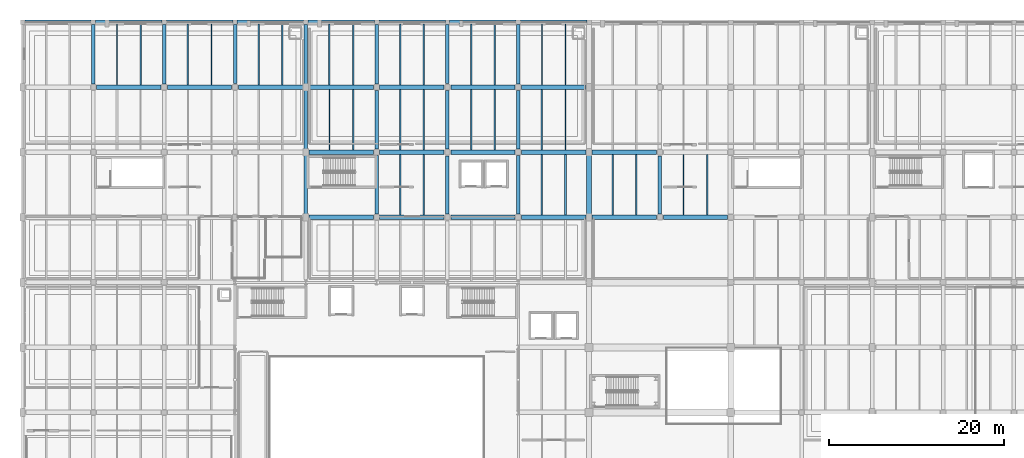
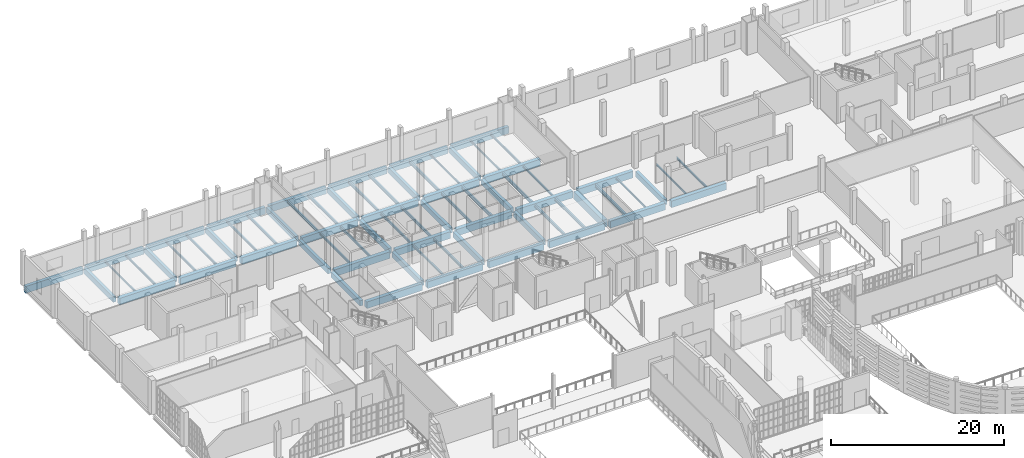
# One storey, part 46 of 104: 73 beams.
"""IFC4 building model written with IfcOpenShell, lengths in metres."""

from ifc_helpers import new_model, si_unit, direction, frame, origin, origin_2d, place, context, subcontext, project, spatial, rectangle, i_section, extrude, material, material_profile, profile_set, type_object, element, save


model = new_model("IFC4")

# Units and contexts
model_context = context("Model", 3, precision=1e-05, world=origin(), true_north=direction((0.0, 1.0)))
body_context = subcontext(model_context, "Body", "Model", "MODEL_VIEW")
ifc_project = project(units=[si_unit("LENGTHUNIT", "METRE"), si_unit("AREAUNIT", "SQUARE_METRE"), si_unit("VOLUMEUNIT", "CUBIC_METRE"), si_unit("PLANEANGLEUNIT", "RADIAN"), si_unit("MASSUNIT", "GRAM", prefix="KILO")], contexts=[model_context])

# Site, building, storey
site_placement = place(None, origin())
site = spatial("IfcSite", under=ifc_project, at=site_placement, CompositionType="ELEMENT")
building_placement = place(site_placement, origin())
building = spatial("IfcBuilding", under=site, at=building_placement, Name="Kaelora Sail Theatre", CompositionType="ELEMENT")
storey_placement = place(building_placement, frame((0.0, 0.0, 5.39990234375)))
storey = spatial("IfcBuildingStorey", under=building, at=storey_placement, Name="L01", CompositionType="ELEMENT", Elevation=5.39990234375)

# Beams
ifc_material_1 = material(Name="Steel S355", Category="steel")
ifc_material_profile_1 = material_profile(ifc_material_1, i_section(OverallWidth=0.18994140625, OverallDepth=0.449951171875, WebThickness=0.009521484375, FlangeThickness=0.0146484375, FilletRadius=0.02099609375, at=origin_2d()), Name="IPE 450")
ifc_profile_set_1 = profile_set([ifc_material_profile_1], Name="Steel S355")
beam_type_1 = type_object("IfcBeamType", Name="STR-BM-BM-IPE450", PredefinedType="BEAM", material=ifc_profile_set_1)
beam_1_placement = place(storey_placement, frame((47.39990234375, 105.909912109375, -0.52001953125), z_axis=(0.0, 1.0, 0.0), x_axis=(-1.0, 0.0, 0.0)))
element("IfcBeam", 1, at=beam_1_placement, inside=storey, type_object=beam_type_1, Name="Secondary floor joist 6/O-2 (L01)", PredefinedType="BEAM", context=body_context, shape_type="SweptSolid", body=[
    extrude(i_section(OverallWidth=0.18994140625, OverallDepth=0.449951171875, WebThickness=0.009521484375, FlangeThickness=0.0146484375, FilletRadius=0.02099609375, at=origin_2d()), origin(), (0.0, 0.0, 1.0), 6.965087890625),
])
beam_2_placement = place(storey_placement, frame((55.5, 98.469970703125, -0.52001953125), z_axis=(0.0, 1.0, 0.0), x_axis=(-1.0, 0.0, 0.0)))
element("IfcBeam", 2, at=beam_2_placement, inside=storey, type_object=beam_type_1, Name="Secondary floor joist 7/N-2 (L01)", PredefinedType="BEAM", context=body_context, shape_type="SweptSolid", body=[
    extrude(i_section(OverallWidth=0.18994140625, OverallDepth=0.449951171875, WebThickness=0.009521484375, FlangeThickness=0.0146484375, FilletRadius=0.02099609375, at=origin_2d()), origin(), (0.0, 0.0, 1.0), 6.93994140625),
])
beam_3_placement = place(storey_placement, frame((52.800048828125, 105.909912109375, -0.52001953125), z_axis=(0.0, 1.0, 0.0), x_axis=(-1.0, 0.0, 0.0)))
element("IfcBeam", 3, at=beam_3_placement, inside=storey, type_object=beam_type_1, Name="Secondary floor joist 7/O-1 (L01)", PredefinedType="BEAM", context=body_context, shape_type="SweptSolid", body=[
    extrude(i_section(OverallWidth=0.18994140625, OverallDepth=0.449951171875, WebThickness=0.009521484375, FlangeThickness=0.0146484375, FilletRadius=0.02099609375, at=origin_2d()), origin(), (0.0, 0.0, 1.0), 6.965087890625),
])
for number, where, z_axis, x_axis, name in (
    (4, (63.60009765625, 91.030029296875, -0.52001953125), (0.0, 1.0, 0.0), (-1.0, 0.0, 0.0), "Secondary floor joist 8/M-2 (L01)"),
    (5, (60.89990234375, 98.469970703125, -0.52001953125), (0.0, 1.0, 0.0), (-1.0, 0.0, 0.0), "Secondary floor joist 8/N-1 (L01)"),
    (6, (69.0, 91.030029296875, -0.52001953125), (0.0, 1.0, 0.0), (-1.0, 0.0, 0.0), "Secondary floor joist 9/M-1 (L01)"),
):
    element("IfcBeam", number, at=place(storey_placement, frame(where, z_axis=z_axis, x_axis=x_axis)), inside=storey, type_object=beam_type_1, Name=name, PredefinedType="BEAM", context=body_context, shape_type="SweptSolid", body=[
        extrude(i_section(OverallWidth=0.18994140625, OverallDepth=0.449951171875, WebThickness=0.009521484375, FlangeThickness=0.0146484375, FilletRadius=0.02099609375, at=origin_2d()), origin(), (0.0, 0.0, 1.0), 6.93994140625),
    ])
ifc_material_2 = material(Name="Concrete C40/50", Category="concrete")
ifc_material_profile_2 = material_profile(ifc_material_2, rectangle(XDim=0.39990234375, YDim=0.75, at=origin_2d()), Name="RC-BM 400x750")
ifc_profile_set_2 = profile_set([ifc_material_profile_2], Name="Concrete C40/50")
beam_type_2 = type_object("IfcBeamType", Name="STR-BM-BM-RC4075", PredefinedType="BEAM", material=ifc_profile_set_2)
for number, where, z_axis, x_axis, name in (
    (7, (9.60009765625, 106.010009765625, -0.669921875), (0.0, 1.0, 0.0), (-1.0, 0.0, 0.0), "Primary beam 2 O-P (L01)"),
    (8, (17.699951171875, 106.010009765625, -0.669921875), (0.0, 1.0, 0.0), (-1.0, 0.0, 0.0), "Primary beam 3 O-P (L01)"),
):
    element("IfcBeam", number, at=place(storey_placement, frame(where, z_axis=z_axis, x_axis=x_axis)), inside=storey, type_object=beam_type_2, Name=name, PredefinedType="BEAM", context=body_context, shape_type="SweptSolid", body=[
        extrude(rectangle(XDim=0.39990234375, YDim=0.75, at=origin_2d()), origin(), (0.0, 0.0, 1.0), 6.840087890625),
    ])
beam_4_placement = place(storey_placement, frame((25.800048828125, 106.06005859375, -0.669921875), z_axis=(0.0, 1.0, 0.0), x_axis=(-1.0, 0.0, 0.0)))
element("IfcBeam", 9, at=beam_4_placement, inside=storey, type_object=beam_type_2, Name="Primary beam 4 O-P (L01)", PredefinedType="BEAM", context=body_context, shape_type="SweptSolid", body=[
    extrude(rectangle(XDim=0.39990234375, YDim=0.75, at=origin_2d()), origin(), (0.0, 0.0, 1.0), 6.7900390625),
])
beam_5_placement = place(storey_placement, frame((33.89990234375, 91.1298828125, -0.669921875), z_axis=(0.0, 1.0, 0.0), x_axis=(-1.0, 0.0, 0.0)))
element("IfcBeam", 10, at=beam_5_placement, inside=storey, type_object=beam_type_2, Name="Primary beam 5 M-N (L01)", PredefinedType="BEAM", context=body_context, shape_type="SweptSolid", body=[
    extrude(rectangle(XDim=0.39990234375, YDim=0.75, at=origin_2d()), origin(), (0.0, 0.0, 1.0), 6.740234375),
])
beam_6_placement = place(storey_placement, frame((33.89990234375, 98.570068359375, -0.669921875), z_axis=(0.0, 1.0, 0.0), x_axis=(-1.0, 0.0, 0.0)))
element("IfcBeam", 11, at=beam_6_placement, inside=storey, type_object=beam_type_2, Name="Primary beam 5 N-O (L01)", PredefinedType="BEAM", context=body_context, shape_type="SweptSolid", body=[
    extrude(rectangle(XDim=0.39990234375, YDim=0.75, at=origin_2d()), origin(), (0.0, 0.0, 1.0), 6.739990234375),
])
beam_7_placement = place(storey_placement, frame((33.89990234375, 106.010009765625, -0.669921875), z_axis=(0.0, 1.0, 0.0), x_axis=(-1.0, 0.0, 0.0)))
element("IfcBeam", 12, at=beam_7_placement, inside=storey, type_object=beam_type_2, Name="Primary beam 5 O-P (L01)", PredefinedType="BEAM", context=body_context, shape_type="SweptSolid", body=[
    extrude(rectangle(XDim=0.39990234375, YDim=0.75, at=origin_2d()), origin(), (0.0, 0.0, 1.0), 6.840087890625),
])
beam_8_placement = place(storey_placement, frame((42.0, 91.1298828125, -0.669921875), z_axis=(0.0, 1.0, 0.0), x_axis=(-1.0, 0.0, 0.0)))
element("IfcBeam", 13, at=beam_8_placement, inside=storey, type_object=beam_type_2, Name="Primary beam 6 M-N (L01)", PredefinedType="BEAM", context=body_context, shape_type="SweptSolid", body=[
    extrude(rectangle(XDim=0.39990234375, YDim=0.75, at=origin_2d()), origin(), (0.0, 0.0, 1.0), 6.740234375),
])
beam_9_placement = place(storey_placement, frame((42.0, 98.570068359375, -0.669921875), z_axis=(0.0, 1.0, 0.0), x_axis=(-1.0, 0.0, 0.0)))
element("IfcBeam", 14, at=beam_9_placement, inside=storey, type_object=beam_type_2, Name="Primary beam 6 N-O (L01)", PredefinedType="BEAM", context=body_context, shape_type="SweptSolid", body=[
    extrude(rectangle(XDim=0.39990234375, YDim=0.75, at=origin_2d()), origin(), (0.0, 0.0, 1.0), 6.739990234375),
])
beam_10_placement = place(storey_placement, frame((42.0, 106.010009765625, -0.669921875), z_axis=(0.0, 1.0, 0.0), x_axis=(-1.0, 0.0, 0.0)))
element("IfcBeam", 15, at=beam_10_placement, inside=storey, type_object=beam_type_2, Name="Primary beam 6 O-P (L01)", PredefinedType="BEAM", context=body_context, shape_type="SweptSolid", body=[
    extrude(rectangle(XDim=0.39990234375, YDim=0.75, at=origin_2d()), origin(), (0.0, 0.0, 1.0), 6.840087890625),
])
beam_11_placement = place(storey_placement, frame((50.10009765625, 91.179931640625, -0.669921875), z_axis=(0.0, 1.0, 0.0), x_axis=(-1.0, 0.0, 0.0)))
element("IfcBeam", 16, at=beam_11_placement, inside=storey, type_object=beam_type_2, Name="Primary beam 7 M-N (L01)", PredefinedType="BEAM", context=body_context, shape_type="SweptSolid", body=[
    extrude(rectangle(XDim=0.39990234375, YDim=0.75, at=origin_2d()), origin(), (0.0, 0.0, 1.0), 6.64013671875),
])
beam_12_placement = place(storey_placement, frame((50.10009765625, 98.6201171875, -0.669921875), z_axis=(0.0, 1.0, 0.0), x_axis=(-1.0, 0.0, 0.0)))
element("IfcBeam", 17, at=beam_12_placement, inside=storey, type_object=beam_type_2, Name="Primary beam 7 N-O (L01)", PredefinedType="BEAM", context=body_context, shape_type="SweptSolid", body=[
    extrude(rectangle(XDim=0.39990234375, YDim=0.75, at=origin_2d()), origin(), (0.0, 0.0, 1.0), 6.639892578125),
])
beam_13_placement = place(storey_placement, frame((50.10009765625, 106.06005859375, -0.669921875), z_axis=(0.0, 1.0, 0.0), x_axis=(-1.0, 0.0, 0.0)))
element("IfcBeam", 18, at=beam_13_placement, inside=storey, type_object=beam_type_2, Name="Primary beam 7 O-P (L01)", PredefinedType="BEAM", context=body_context, shape_type="SweptSolid", body=[
    extrude(rectangle(XDim=0.39990234375, YDim=0.75, at=origin_2d()), origin(), (0.0, 0.0, 1.0), 6.7900390625),
])
beam_14_placement = place(storey_placement, frame((58.199951171875, 91.1298828125, -0.669921875), z_axis=(0.0, 1.0, 0.0), x_axis=(-1.0, 0.0, 0.0)))
element("IfcBeam", 19, at=beam_14_placement, inside=storey, type_object=beam_type_2, Name="Primary beam 8 M-N (L01)", PredefinedType="BEAM", context=body_context, shape_type="SweptSolid", body=[
    extrude(rectangle(XDim=0.39990234375, YDim=0.75, at=origin_2d()), origin(), (0.0, 0.0, 1.0), 6.740234375),
])
beam_15_placement = place(storey_placement, frame((58.199951171875, 98.570068359375, -0.669921875), z_axis=(0.0, 1.0, 0.0), x_axis=(-1.0, 0.0, 0.0)))
element("IfcBeam", 20, at=beam_15_placement, inside=storey, type_object=beam_type_2, Name="Primary beam 8 N-O (L01)", PredefinedType="BEAM", context=body_context, shape_type="SweptSolid", body=[
    extrude(rectangle(XDim=0.39990234375, YDim=0.75, at=origin_2d()), origin(), (0.0, 0.0, 1.0), 6.739990234375),
])
beam_16_placement = place(storey_placement, frame((58.199951171875, 106.010009765625, -0.669921875), z_axis=(0.0, 1.0, 0.0), x_axis=(-1.0, 0.0, 0.0)))
element("IfcBeam", 21, at=beam_16_placement, inside=storey, type_object=beam_type_2, Name="Primary beam 8 O-P (L01)", PredefinedType="BEAM", context=body_context, shape_type="SweptSolid", body=[
    extrude(rectangle(XDim=0.39990234375, YDim=0.75, at=origin_2d()), origin(), (0.0, 0.0, 1.0), 6.840087890625),
])
beam_17_placement = place(storey_placement, frame((74.39990234375, 91.179931640625, -0.669921875), z_axis=(0.0, 1.0, 0.0), x_axis=(-1.0, 0.0, 0.0)))
element("IfcBeam", 22, at=beam_17_placement, inside=storey, type_object=beam_type_2, Name="Primary beam 10 M-N (L01)", PredefinedType="BEAM", context=body_context, shape_type="SweptSolid", body=[
    extrude(rectangle(XDim=0.39990234375, YDim=0.75, at=origin_2d()), origin(), (0.0, 0.0, 1.0), 6.64013671875),
])
ifc_material_3 = material(Name="Concrete C45/55", Category="concrete")
ifc_material_profile_3 = material_profile(ifc_material_3, rectangle(XDim=0.5, YDim=0.949951171875, at=origin_2d()), Name="RC-GRD 500x950")
ifc_profile_set_3 = profile_set([ifc_material_profile_3], Name="Concrete C45/55")
beam_type_3 = type_object("IfcBeamType", Name="STR-BM-GR-RC5095", PredefinedType="T_BEAM", material=ifc_profile_set_3)
beam_18_placement = place(storey_placement, frame((9.949951171875, 105.659912109375, -0.77001953125), z_axis=(1.0, 0.0, 0.0), x_axis=(0.0, 1.0, 0.0)))
element("IfcBeam", 23, at=beam_18_placement, inside=storey, type_object=beam_type_3, Name="Primary beam O 2-3 (L01)", PredefinedType="T_BEAM", context=body_context, shape_type="SweptSolid", body=[
    extrude(rectangle(XDim=0.5, YDim=0.949951171875, at=origin_2d()), origin(), (0.0, 0.0, 1.0), 7.400146484375),
])
beam_19_placement = place(storey_placement, frame((18.050048828125, 105.659912109375, -0.77001953125), z_axis=(1.0, 0.0, 0.0), x_axis=(0.0, 1.0, 0.0)))
element("IfcBeam", 24, at=beam_19_placement, inside=storey, type_object=beam_type_3, Name="Primary beam O 3-4 (L01)", PredefinedType="T_BEAM", context=body_context, shape_type="SweptSolid", body=[
    extrude(rectangle(XDim=0.5, YDim=0.949951171875, at=origin_2d()), origin(), (0.0, 0.0, 1.0), 7.349853515625),
])
beam_20_placement = place(storey_placement, frame((26.199951171875, 105.659912109375, -0.77001953125), z_axis=(1.0, 0.0, 0.0), x_axis=(0.0, 1.0, 0.0)))
element("IfcBeam", 25, at=beam_20_placement, inside=storey, type_object=beam_type_3, Name="Primary beam O 4-5 (L01)", PredefinedType="T_BEAM", context=body_context, shape_type="SweptSolid", body=[
    extrude(rectangle(XDim=0.5, YDim=0.949951171875, at=origin_2d()), origin(), (0.0, 0.0, 1.0), 7.35009765625),
])
for number, where, z_axis, x_axis, name in (
    (26, (34.25, 90.780029296875, -0.77001953125), (1.0, 0.0, 0.0), (0.0, 1.0, 0.0), "Primary beam M 5-6 (L01)"),
    (27, (34.25, 98.219970703125, -0.77001953125), (1.0, 0.0, 0.0), (0.0, 1.0, 0.0), "Primary beam N 5-6 (L01)"),
    (28, (34.25, 105.659912109375, -0.77001953125), (1.0, 0.0, 0.0), (0.0, 1.0, 0.0), "Primary beam O 5-6 (L01)"),
):
    element("IfcBeam", number, at=place(storey_placement, frame(where, z_axis=z_axis, x_axis=x_axis)), inside=storey, type_object=beam_type_3, Name=name, PredefinedType="T_BEAM", context=body_context, shape_type="SweptSolid", body=[
        extrude(rectangle(XDim=0.5, YDim=0.949951171875, at=origin_2d()), origin(), (0.0, 0.0, 1.0), 7.39990234375),
    ])
for number, where, z_axis, x_axis, name in (
    (29, (42.35009765625, 90.780029296875, -0.77001953125), (1.0, 0.0, 0.0), (0.0, 1.0, 0.0), "Primary beam M 6-7 (L01)"),
    (30, (42.35009765625, 98.219970703125, -0.77001953125), (1.0, 0.0, 0.0), (0.0, 1.0, 0.0), "Primary beam N 6-7 (L01)"),
    (31, (42.35009765625, 105.659912109375, -0.77001953125), (1.0, 0.0, 0.0), (0.0, 1.0, 0.0), "Primary beam O 6-7 (L01)"),
):
    element("IfcBeam", number, at=place(storey_placement, frame(where, z_axis=z_axis, x_axis=x_axis)), inside=storey, type_object=beam_type_3, Name=name, PredefinedType="T_BEAM", context=body_context, shape_type="SweptSolid", body=[
        extrude(rectangle(XDim=0.5, YDim=0.949951171875, at=origin_2d()), origin(), (0.0, 0.0, 1.0), 7.349853515625),
    ])
for number, where, z_axis, x_axis, name in (
    (32, (50.5, 90.780029296875, -0.77001953125), (1.0, 0.0, 0.0), (0.0, 1.0, 0.0), "Primary beam M 7-8 (L01)"),
    (33, (50.5, 98.219970703125, -0.77001953125), (1.0, 0.0, 0.0), (0.0, 1.0, 0.0), "Primary beam N 7-8 (L01)"),
    (34, (50.5, 105.659912109375, -0.77001953125), (1.0, 0.0, 0.0), (0.0, 1.0, 0.0), "Primary beam O 7-8 (L01)"),
):
    element("IfcBeam", number, at=place(storey_placement, frame(where, z_axis=z_axis, x_axis=x_axis)), inside=storey, type_object=beam_type_3, Name=name, PredefinedType="T_BEAM", context=body_context, shape_type="SweptSolid", body=[
        extrude(rectangle(XDim=0.5, YDim=0.949951171875, at=origin_2d()), origin(), (0.0, 0.0, 1.0), 7.35009765625),
    ])
for number, where, z_axis, x_axis, name in (
    (35, (58.550048828125, 90.780029296875, -0.77001953125), (1.0, 0.0, 0.0), (0.0, 1.0, 0.0), "Primary beam M 8-9 (L01)"),
    (36, (58.550048828125, 98.219970703125, -0.77001953125), (1.0, 0.0, 0.0), (0.0, 1.0, 0.0), "Primary beam N 8-9 (L01)"),
    (37, (58.550048828125, 105.659912109375, -0.77001953125), (1.0, 0.0, 0.0), (0.0, 1.0, 0.0), "Primary beam O 8-9 (L01)"),
):
    element("IfcBeam", number, at=place(storey_placement, frame(where, z_axis=z_axis, x_axis=x_axis)), inside=storey, type_object=beam_type_3, Name=name, PredefinedType="T_BEAM", context=body_context, shape_type="SweptSolid", body=[
        extrude(rectangle(XDim=0.5, YDim=0.949951171875, at=origin_2d()), origin(), (0.0, 0.0, 1.0), 7.39990234375),
    ])
for number, where, z_axis, x_axis, name in (
    (38, (66.64990234375, 90.780029296875, -0.77001953125), (1.0, 0.0, 0.0), (0.0, 1.0, 0.0), "Primary beam M 9-10 (L01)"),
    (39, (66.64990234375, 98.219970703125, -0.77001953125), (1.0, 0.0, 0.0), (0.0, 1.0, 0.0), "Primary beam N 9-10 (L01)"),
):
    element("IfcBeam", number, at=place(storey_placement, frame(where, z_axis=z_axis, x_axis=x_axis)), inside=storey, type_object=beam_type_3, Name=name, PredefinedType="T_BEAM", context=body_context, shape_type="SweptSolid", body=[
        extrude(rectangle(XDim=0.5, YDim=0.949951171875, at=origin_2d()), origin(), (0.0, 0.0, 1.0), 7.35009765625),
    ])
beam_21_placement = place(storey_placement, frame((74.800048828125, 90.780029296875, -0.77001953125), z_axis=(1.0, 0.0, 0.0), x_axis=(0.0, 1.0, 0.0)))
element("IfcBeam", 40, at=beam_21_placement, inside=storey, type_object=beam_type_3, Name="Primary beam M 10-11 (L01)", PredefinedType="T_BEAM", context=body_context, shape_type="SweptSolid", body=[
    extrude(rectangle(XDim=0.5, YDim=0.949951171875, at=origin_2d()), origin(), (0.0, 0.0, 1.0), 7.349853515625),
])
ifc_material_4 = material(Name="Concrete C50/60", Category="concrete")
ifc_material_profile_4 = material_profile(ifc_material_4, rectangle(XDim=0.60009765625, YDim=1.050048828125, at=origin_2d()), Name="RC-GRD 600x1050")
ifc_profile_set_4 = profile_set([ifc_material_profile_4], Name="Concrete C50/60")
beam_type_4 = type_object("IfcBeamType", Name="STR-BM-GR-RC6105", PredefinedType="T_BEAM", material=ifc_profile_set_4)
beam_22_placement = place(storey_placement, frame((66.300048828125, 91.1298828125, -0.81982421875), z_axis=(0.0, 1.0, 0.0), x_axis=(-1.0, 0.0, 0.0)))
element("IfcBeam", 41, at=beam_22_placement, inside=storey, type_object=beam_type_4, Name="Primary beam 9 M-N (L01)", PredefinedType="T_BEAM", context=body_context, shape_type="SweptSolid", body=[
    extrude(rectangle(XDim=0.60009765625, YDim=1.050048828125, at=origin_2d()), origin(), (0.0, 0.0, 1.0), 6.740234375),
])
ifc_material_5 = material(Name="Steel S355", Category="steel")
ifc_material_profile_5 = material_profile(ifc_material_5, i_section(OverallWidth=0.135009765625, OverallDepth=0.27001953125, WebThickness=0.006591796875, FlangeThickness=0.01025390625, FilletRadius=0.014892578125, at=origin_2d()), Name="IPE 270")
ifc_profile_set_5 = profile_set([ifc_material_profile_5], Name="Steel S355")
beam_type_5 = type_object("IfcBeamType", Name="STR-BM-JS-IPE270", PredefinedType="JOIST", material=ifc_profile_set_5)
for number, where, z_axis, x_axis, name in (
    (42, (12.300048828125, 105.909912109375, -0.429931640625), (0.0, 1.0, 0.0), (-1.0, 0.0, 0.0), "Secondary floor joist 2/O-1 (L01)"),
    (43, (55.5, 105.909912109375, -0.429931640625), (0.0, 1.0, 0.0), (-1.0, 0.0, 0.0), "Secondary floor joist 7/O-2 (L01)"),
):
    element("IfcBeam", number, at=place(storey_placement, frame(where, z_axis=z_axis, x_axis=x_axis)), inside=storey, type_object=beam_type_5, Name=name, PredefinedType="JOIST", context=body_context, shape_type="SweptSolid", body=[
        extrude(i_section(OverallWidth=0.135009765625, OverallDepth=0.27001953125, WebThickness=0.006591796875, FlangeThickness=0.01025390625, FilletRadius=0.014892578125, at=origin_2d()), origin(), (0.0, 0.0, 1.0), 6.965087890625),
    ])
beam_23_placement = place(storey_placement, frame((63.60009765625, 98.469970703125, -0.429931640625), z_axis=(0.0, 1.0, 0.0), x_axis=(-1.0, 0.0, 0.0)))
element("IfcBeam", 44, at=beam_23_placement, inside=storey, type_object=beam_type_5, Name="Secondary floor joist 8/N-2 (L01)", PredefinedType="JOIST", context=body_context, shape_type="SweptSolid", body=[
    extrude(i_section(OverallWidth=0.135009765625, OverallDepth=0.27001953125, WebThickness=0.006591796875, FlangeThickness=0.01025390625, FilletRadius=0.014892578125, at=origin_2d()), origin(), (0.0, 0.0, 1.0), 6.93994140625),
])
beam_24_placement = place(storey_placement, frame((60.89990234375, 105.909912109375, -0.429931640625), z_axis=(0.0, 1.0, 0.0), x_axis=(-1.0, 0.0, 0.0)))
element("IfcBeam", 45, at=beam_24_placement, inside=storey, type_object=beam_type_5, Name="Secondary floor joist 8/O-1 (L01)", PredefinedType="JOIST", context=body_context, shape_type="SweptSolid", body=[
    extrude(i_section(OverallWidth=0.135009765625, OverallDepth=0.27001953125, WebThickness=0.006591796875, FlangeThickness=0.01025390625, FilletRadius=0.014892578125, at=origin_2d()), origin(), (0.0, 0.0, 1.0), 6.965087890625),
])
for number, where, z_axis, x_axis, name in (
    (46, (71.699951171875, 91.030029296875, -0.429931640625), (0.0, 1.0, 0.0), (-1.0, 0.0, 0.0), "Secondary floor joist 9/M-2 (L01)"),
    (47, (77.10009765625, 91.030029296875, -0.429931640625), (0.0, 1.0, 0.0), (-1.0, 0.0, 0.0), "Secondary floor joist 10/M-1 (L01)"),
):
    element("IfcBeam", number, at=place(storey_placement, frame(where, z_axis=z_axis, x_axis=x_axis)), inside=storey, type_object=beam_type_5, Name=name, PredefinedType="JOIST", context=body_context, shape_type="SweptSolid", body=[
        extrude(i_section(OverallWidth=0.135009765625, OverallDepth=0.27001953125, WebThickness=0.006591796875, FlangeThickness=0.01025390625, FilletRadius=0.014892578125, at=origin_2d()), origin(), (0.0, 0.0, 1.0), 6.93994140625),
    ])
ifc_material_6 = material(Name="Steel S355", Category="steel")
ifc_material_profile_6 = material_profile(ifc_material_6, i_section(OverallWidth=0.14990234375, OverallDepth=0.300048828125, WebThickness=0.007080078125, FlangeThickness=0.0107421875, FilletRadius=0.014892578125, at=origin_2d()), Name="IPE 300")
ifc_profile_set_6 = profile_set([ifc_material_profile_6], Name="Steel S355")
beam_type_6 = type_object("IfcBeamType", Name="STR-BM-JS-IPE300", PredefinedType="JOIST", material=ifc_profile_set_6)
for number, where, z_axis, x_axis, name in (
    (48, (15.0, 105.909912109375, -0.44482421875), (0.0, 1.0, 0.0), (-1.0, 0.0, 0.0), "Secondary floor joist 2/O-2 (L01)"),
    (49, (20.39990234375, 105.909912109375, -0.44482421875), (0.0, 1.0, 0.0), (-1.0, 0.0, 0.0), "Secondary floor joist 3/O-1 (L01)"),
    (50, (63.60009765625, 105.909912109375, -0.44482421875), (0.0, 1.0, 0.0), (-1.0, 0.0, 0.0), "Secondary floor joist 8/O-2 (L01)"),
):
    element("IfcBeam", number, at=place(storey_placement, frame(where, z_axis=z_axis, x_axis=x_axis)), inside=storey, type_object=beam_type_6, Name=name, PredefinedType="JOIST", context=body_context, shape_type="SweptSolid", body=[
        extrude(i_section(OverallWidth=0.14990234375, OverallDepth=0.300048828125, WebThickness=0.007080078125, FlangeThickness=0.0107421875, FilletRadius=0.014892578125, at=origin_2d()), origin(), (0.0, 0.0, 1.0), 6.965087890625),
    ])
beam_25_placement = place(storey_placement, frame((79.800048828125, 91.030029296875, -0.44482421875), z_axis=(0.0, 1.0, 0.0), x_axis=(-1.0, 0.0, 0.0)))
element("IfcBeam", 51, at=beam_25_placement, inside=storey, type_object=beam_type_6, Name="Secondary floor joist 10/M-2 (L01)", PredefinedType="JOIST", context=body_context, shape_type="SweptSolid", body=[
    extrude(i_section(OverallWidth=0.14990234375, OverallDepth=0.300048828125, WebThickness=0.007080078125, FlangeThickness=0.0107421875, FilletRadius=0.014892578125, at=origin_2d()), origin(), (0.0, 0.0, 1.0), 6.93994140625),
])
ifc_material_7 = material(Name="Steel S355", Category="steel")
ifc_material_profile_7 = material_profile(ifc_material_7, i_section(OverallWidth=0.159912109375, OverallDepth=0.330078125, WebThickness=0.007568359375, FlangeThickness=0.011474609375, FilletRadius=0.01806640625, at=origin_2d()), Name="IPE 330")
ifc_profile_set_7 = profile_set([ifc_material_profile_7], Name="Steel S355")
beam_type_7 = type_object("IfcBeamType", Name="STR-BM-JS-IPE330", PredefinedType="JOIST", material=ifc_profile_set_7)
for number, where, z_axis, x_axis, name in (
    (52, (23.10009765625, 105.909912109375, -0.4599609375), (0.0, 1.0, 0.0), (-1.0, 0.0, 0.0), "Secondary floor joist 3/O-2 (L01)"),
    (53, (28.5, 105.909912109375, -0.4599609375), (0.0, 1.0, 0.0), (-1.0, 0.0, 0.0), "Secondary floor joist 4/O-1 (L01)"),
):
    element("IfcBeam", number, at=place(storey_placement, frame(where, z_axis=z_axis, x_axis=x_axis)), inside=storey, type_object=beam_type_7, Name=name, PredefinedType="JOIST", context=body_context, shape_type="SweptSolid", body=[
        extrude(i_section(OverallWidth=0.159912109375, OverallDepth=0.330078125, WebThickness=0.007568359375, FlangeThickness=0.011474609375, FilletRadius=0.01806640625, at=origin_2d()), origin(), (0.0, 0.0, 1.0), 6.965087890625),
    ])
for number, where, z_axis, x_axis, name in (
    (54, (36.60009765625, 98.469970703125, -0.4599609375), (0.0, 1.0, 0.0), (-1.0, 0.0, 0.0), "Secondary floor joist 5/N-1 (L01)"),
    (55, (44.699951171875, 91.030029296875, -0.4599609375), (0.0, 1.0, 0.0), (-1.0, 0.0, 0.0), "Secondary floor joist 6/M-1 (L01)"),
):
    element("IfcBeam", number, at=place(storey_placement, frame(where, z_axis=z_axis, x_axis=x_axis)), inside=storey, type_object=beam_type_7, Name=name, PredefinedType="JOIST", context=body_context, shape_type="SweptSolid", body=[
        extrude(i_section(OverallWidth=0.159912109375, OverallDepth=0.330078125, WebThickness=0.007568359375, FlangeThickness=0.011474609375, FilletRadius=0.01806640625, at=origin_2d()), origin(), (0.0, 0.0, 1.0), 6.93994140625),
    ])
ifc_material_8 = material(Name="Steel S355", Category="steel")
ifc_material_profile_8 = material_profile(ifc_material_8, i_section(OverallWidth=0.169921875, OverallDepth=0.360107421875, WebThickness=0.008056640625, FlangeThickness=0.0126953125, FilletRadius=0.01806640625, at=origin_2d()), Name="IPE 360")
ifc_profile_set_8 = profile_set([ifc_material_profile_8], Name="Steel S355")
beam_type_8 = type_object("IfcBeamType", Name="STR-BM-JS-IPE360", PredefinedType="JOIST", material=ifc_profile_set_8)
beam_26_placement = place(storey_placement, frame((31.199951171875, 105.909912109375, -0.474853515625), z_axis=(0.0, 1.0, 0.0), x_axis=(-1.0, 0.0, 0.0)))
element("IfcBeam", 56, at=beam_26_placement, inside=storey, type_object=beam_type_8, Name="Secondary floor joist 4/O-2 (L01)", PredefinedType="JOIST", context=body_context, shape_type="SweptSolid", body=[
    extrude(i_section(OverallWidth=0.169921875, OverallDepth=0.360107421875, WebThickness=0.008056640625, FlangeThickness=0.0126953125, FilletRadius=0.01806640625, at=origin_2d()), origin(), (0.0, 0.0, 1.0), 6.965087890625),
])
beam_27_placement = place(storey_placement, frame((39.300048828125, 98.469970703125, -0.474853515625), z_axis=(0.0, 1.0, 0.0), x_axis=(-1.0, 0.0, 0.0)))
element("IfcBeam", 57, at=beam_27_placement, inside=storey, type_object=beam_type_8, Name="Secondary floor joist 5/N-2 (L01)", PredefinedType="JOIST", context=body_context, shape_type="SweptSolid", body=[
    extrude(i_section(OverallWidth=0.169921875, OverallDepth=0.360107421875, WebThickness=0.008056640625, FlangeThickness=0.0126953125, FilletRadius=0.01806640625, at=origin_2d()), origin(), (0.0, 0.0, 1.0), 6.93994140625),
])
beam_28_placement = place(storey_placement, frame((36.60009765625, 105.909912109375, -0.474853515625), z_axis=(0.0, 1.0, 0.0), x_axis=(-1.0, 0.0, 0.0)))
element("IfcBeam", 58, at=beam_28_placement, inside=storey, type_object=beam_type_8, Name="Secondary floor joist 5/O-1 (L01)", PredefinedType="JOIST", context=body_context, shape_type="SweptSolid", body=[
    extrude(i_section(OverallWidth=0.169921875, OverallDepth=0.360107421875, WebThickness=0.008056640625, FlangeThickness=0.0126953125, FilletRadius=0.01806640625, at=origin_2d()), origin(), (0.0, 0.0, 1.0), 6.965087890625),
])
for number, where, z_axis, x_axis, name in (
    (59, (47.39990234375, 91.030029296875, -0.474853515625), (0.0, 1.0, 0.0), (-1.0, 0.0, 0.0), "Secondary floor joist 6/M-2 (L01)"),
    (60, (44.699951171875, 98.469970703125, -0.474853515625), (0.0, 1.0, 0.0), (-1.0, 0.0, 0.0), "Secondary floor joist 6/N-1 (L01)"),
):
    element("IfcBeam", number, at=place(storey_placement, frame(where, z_axis=z_axis, x_axis=x_axis)), inside=storey, type_object=beam_type_8, Name=name, PredefinedType="JOIST", context=body_context, shape_type="SweptSolid", body=[
        extrude(i_section(OverallWidth=0.169921875, OverallDepth=0.360107421875, WebThickness=0.008056640625, FlangeThickness=0.0126953125, FilletRadius=0.01806640625, at=origin_2d()), origin(), (0.0, 0.0, 1.0), 6.93994140625),
    ])
ifc_material_9 = material(Name="Steel S355", Category="steel")
ifc_material_profile_9 = material_profile(ifc_material_9, i_section(OverallWidth=0.179931640625, OverallDepth=0.39990234375, WebThickness=0.008544921875, FlangeThickness=0.013427734375, FilletRadius=0.02099609375, at=origin_2d()), Name="IPE 400")
ifc_profile_set_9 = profile_set([ifc_material_profile_9], Name="Steel S355")
beam_type_9 = type_object("IfcBeamType", Name="STR-BM-JS-IPE400", PredefinedType="JOIST", material=ifc_profile_set_9)
beam_29_placement = place(storey_placement, frame((39.300048828125, 105.909912109375, -0.494873046875), z_axis=(0.0, 1.0, 0.0), x_axis=(-1.0, 0.0, 0.0)))
element("IfcBeam", 61, at=beam_29_placement, inside=storey, type_object=beam_type_9, Name="Secondary floor joist 5/O-2 (L01)", PredefinedType="JOIST", context=body_context, shape_type="SweptSolid", body=[
    extrude(i_section(OverallWidth=0.179931640625, OverallDepth=0.39990234375, WebThickness=0.008544921875, FlangeThickness=0.013427734375, FilletRadius=0.02099609375, at=origin_2d()), origin(), (0.0, 0.0, 1.0), 6.965087890625),
])
beam_30_placement = place(storey_placement, frame((47.39990234375, 98.469970703125, -0.494873046875), z_axis=(0.0, 1.0, 0.0), x_axis=(-1.0, 0.0, 0.0)))
element("IfcBeam", 62, at=beam_30_placement, inside=storey, type_object=beam_type_9, Name="Secondary floor joist 6/N-2 (L01)", PredefinedType="JOIST", context=body_context, shape_type="SweptSolid", body=[
    extrude(i_section(OverallWidth=0.179931640625, OverallDepth=0.39990234375, WebThickness=0.008544921875, FlangeThickness=0.013427734375, FilletRadius=0.02099609375, at=origin_2d()), origin(), (0.0, 0.0, 1.0), 6.93994140625),
])
beam_31_placement = place(storey_placement, frame((44.699951171875, 105.909912109375, -0.494873046875), z_axis=(0.0, 1.0, 0.0), x_axis=(-1.0, 0.0, 0.0)))
element("IfcBeam", 63, at=beam_31_placement, inside=storey, type_object=beam_type_9, Name="Secondary floor joist 6/O-1 (L01)", PredefinedType="JOIST", context=body_context, shape_type="SweptSolid", body=[
    extrude(i_section(OverallWidth=0.179931640625, OverallDepth=0.39990234375, WebThickness=0.008544921875, FlangeThickness=0.013427734375, FilletRadius=0.02099609375, at=origin_2d()), origin(), (0.0, 0.0, 1.0), 6.965087890625),
])
for number, where, z_axis, x_axis, name in (
    (64, (52.800048828125, 98.469970703125, -0.494873046875), (0.0, 1.0, 0.0), (-1.0, 0.0, 0.0), "Secondary floor joist 7/N-1 (L01)"),
    (65, (60.89990234375, 91.030029296875, -0.494873046875), (0.0, 1.0, 0.0), (-1.0, 0.0, 0.0), "Secondary floor joist 8/M-1 (L01)"),
):
    element("IfcBeam", number, at=place(storey_placement, frame(where, z_axis=z_axis, x_axis=x_axis)), inside=storey, type_object=beam_type_9, Name=name, PredefinedType="JOIST", context=body_context, shape_type="SweptSolid", body=[
        extrude(i_section(OverallWidth=0.179931640625, OverallDepth=0.39990234375, WebThickness=0.008544921875, FlangeThickness=0.013427734375, FilletRadius=0.02099609375, at=origin_2d()), origin(), (0.0, 0.0, 1.0), 6.93994140625),
    ])
ifc_material_10 = material(Name="Concrete C45/55", Category="concrete")
ifc_material_profile_10 = material_profile(ifc_material_10, rectangle(XDim=0.449951171875, YDim=0.949951171875, at=origin_2d()), Name="RC-SPN 450x950")
ifc_profile_set_10 = profile_set([ifc_material_profile_10], Name="Concrete C45/55")
beam_type_10 = type_object("IfcBeamType", Name="STR-BM-SP-RC4595", PredefinedType="SPANDREL", material=ifc_profile_set_10)
beam_32_placement = place(storey_placement, frame((1.75, 113.10009765625, -0.77001953125), z_axis=(1.0, 0.0, 0.0), x_axis=(0.0, 1.0, 0.0)))
element("IfcBeam", 66, at=beam_32_placement, inside=storey, type_object=beam_type_10, Name="Primary beam P 1-2 (L01)", PredefinedType="SPANDREL", context=body_context, shape_type="SweptSolid", body=[
    extrude(rectangle(XDim=0.449951171875, YDim=0.949951171875, at=origin_2d()), origin(), (0.0, 0.0, 1.0), 7.60009765625),
])
beam_33_placement = place(storey_placement, frame((9.85009765625, 113.10009765625, -0.77001953125), z_axis=(1.0, 0.0, 0.0), x_axis=(0.0, 1.0, 0.0)))
element("IfcBeam", 67, at=beam_33_placement, inside=storey, type_object=beam_type_10, Name="Primary beam P 2-3 (L01)", PredefinedType="SPANDREL", context=body_context, shape_type="SweptSolid", body=[
    extrude(rectangle(XDim=0.449951171875, YDim=0.949951171875, at=origin_2d()), origin(), (0.0, 0.0, 1.0), 7.599853515625),
])
beam_34_placement = place(storey_placement, frame((17.949951171875, 113.10009765625, -0.77001953125), z_axis=(1.0, 0.0, 0.0), x_axis=(0.0, 1.0, 0.0)))
element("IfcBeam", 68, at=beam_34_placement, inside=storey, type_object=beam_type_10, Name="Primary beam P 3-4 (L01)", PredefinedType="SPANDREL", context=body_context, shape_type="SweptSolid", body=[
    extrude(rectangle(XDim=0.449951171875, YDim=0.949951171875, at=origin_2d()), origin(), (0.0, 0.0, 1.0), 7.60009765625),
])
beam_35_placement = place(storey_placement, frame((26.050048828125, 113.10009765625, -0.77001953125), z_axis=(1.0, 0.0, 0.0), x_axis=(0.0, 1.0, 0.0)))
element("IfcBeam", 69, at=beam_35_placement, inside=storey, type_object=beam_type_10, Name="Primary beam P 4-5 (L01)", PredefinedType="SPANDREL", context=body_context, shape_type="SweptSolid", body=[
    extrude(rectangle(XDim=0.449951171875, YDim=0.949951171875, at=origin_2d()), origin(), (0.0, 0.0, 1.0), 7.599853515625),
])
for number, where, z_axis, x_axis, name in (
    (70, (34.14990234375, 113.10009765625, -0.77001953125), (1.0, 0.0, 0.0), (0.0, 1.0, 0.0), "Primary beam P 5-6 (L01)"),
    (71, (42.25, 113.10009765625, -0.77001953125), (1.0, 0.0, 0.0), (0.0, 1.0, 0.0), "Primary beam P 6-7 (L01)"),
):
    element("IfcBeam", number, at=place(storey_placement, frame(where, z_axis=z_axis, x_axis=x_axis)), inside=storey, type_object=beam_type_10, Name=name, PredefinedType="SPANDREL", context=body_context, shape_type="SweptSolid", body=[
        extrude(rectangle(XDim=0.449951171875, YDim=0.949951171875, at=origin_2d()), origin(), (0.0, 0.0, 1.0), 7.60009765625),
    ])
beam_36_placement = place(storey_placement, frame((50.35009765625, 113.10009765625, -0.77001953125), z_axis=(1.0, 0.0, 0.0), x_axis=(0.0, 1.0, 0.0)))
element("IfcBeam", 72, at=beam_36_placement, inside=storey, type_object=beam_type_10, Name="Primary beam P 7-8 (L01)", PredefinedType="SPANDREL", context=body_context, shape_type="SweptSolid", body=[
    extrude(rectangle(XDim=0.449951171875, YDim=0.949951171875, at=origin_2d()), origin(), (0.0, 0.0, 1.0), 7.599853515625),
])
beam_37_placement = place(storey_placement, frame((58.449951171875, 113.10009765625, -0.77001953125), z_axis=(1.0, 0.0, 0.0), x_axis=(0.0, 1.0, 0.0)))
element("IfcBeam", 73, at=beam_37_placement, inside=storey, type_object=beam_type_10, Name="Primary beam P 8-9 (L01)", PredefinedType="SPANDREL", context=body_context, shape_type="SweptSolid", body=[
    extrude(rectangle(XDim=0.449951171875, YDim=0.949951171875, at=origin_2d()), origin(), (0.0, 0.0, 1.0), 7.60009765625),
])

save(model, "model.ifc")
